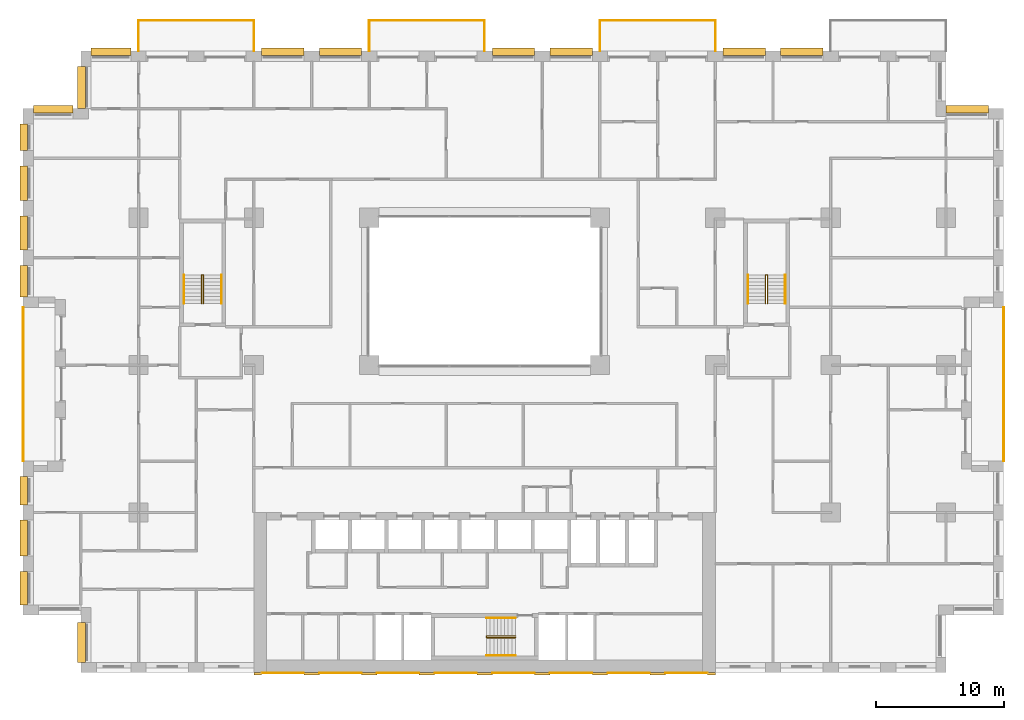
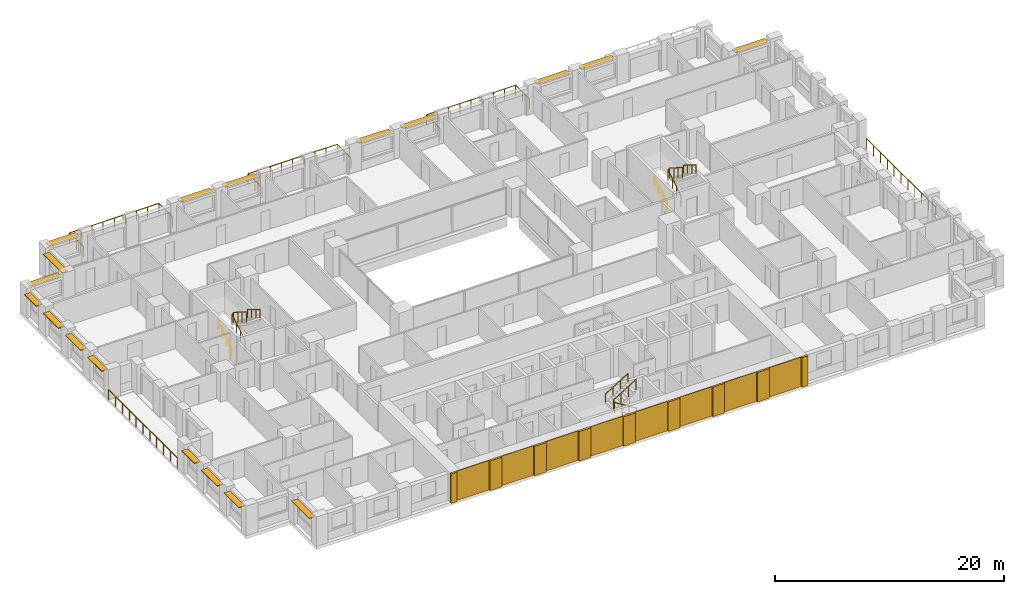
# One storey, part 19 of 20: 18 shading devices, 17 coverings, 14 railings.
"""IFC4 building model written with IfcOpenShell, lengths in metres."""

import ifcopenshell
import ifcopenshell.guid

model = None  # the IFC model being written
_history = None  # IfcOwnerHistory: only IFC2X3 demands one
_inside = {}  # id of a spatial element -> (the spatial element, [elements in it])
_under = {}  # id of a project, library or spatial element -> (it, [spatial elements below it])
_declared = {}  # id of a project -> (the project, [libraries it declares])
_typed = {}  # id of a type object -> (the type object, [elements of that type])
_made_of = {}  # id of a material, layer set ... -> (it, [elements and type objects made of it])


def new_model(schema):
    """Start an empty IFC model of exactly this schema.

    Asked for "IFC4X3", IfcOpenShell would pick the latest addendum, in which some entities
    have other attributes; the version numbers below select the first issue.
    IFC2X3 requires an IfcOwnerHistory on every rooted entity: one is made here for all.
    """
    global model, _history
    if schema == "IFC4X3":
        model = ifcopenshell.file(schema_version=(4, 3, 0, 0))
    else:
        model = ifcopenshell.file(schema=schema)
    _inside.clear()
    _under.clear()
    _declared.clear()
    _typed.clear()
    _made_of.clear()
    _history = None
    if model.schema == "IFC2X3":
        org = make("IfcOrganization", Name="unknown")
        user = make(
            "IfcPersonAndOrganization",
            ThePerson=make("IfcPerson", FamilyName="unknown"),
            TheOrganization=org,
        )
        app = make(
            "IfcApplication",
            ApplicationDeveloper=org,
            Version="unknown",
            ApplicationFullName="unknown",
            ApplicationIdentifier="unknown",
        )
        _history = make(
            "IfcOwnerHistory",
            OwningUser=user,
            OwningApplication=app,
            ChangeAction="ADDED",
            CreationDate=0,
        )
    return model


def make(cls, **values):
    """One entity of the class cls with the attributes given. An attribute that is None is left unset."""
    return model.create_entity(
        cls, **{name: value for name, value in values.items() if value is not None}
    )


def rooted(cls, **values):
    """An entity with a GlobalId (a new one), such as an element, a storey or a relation."""
    return make(cls, GlobalId=ifcopenshell.guid.new(), OwnerHistory=_history, **values)


def si_unit(unit_type, name, prefix=None):
    """IfcSIUnit, for example si_unit("LENGTHUNIT", "METRE", prefix="MILLI")."""
    return make("IfcSIUnit", UnitType=unit_type, Prefix=prefix, Name=name)


def assignment(units):
    """IfcUnitAssignment: the units of a project."""
    return None if units is None else make("IfcUnitAssignment", Units=units)


def point(xyz):
    """IfcCartesianPoint."""
    return None if xyz is None else make("IfcCartesianPoint", Coordinates=xyz)


def direction(xyz):
    """IfcDirection."""
    return None if xyz is None else make("IfcDirection", DirectionRatios=xyz)


def frame(location, z_axis=None, x_axis=None):
    """IfcAxis2Placement3D, a coordinate frame: its origin and axes. An axis left out is left unset."""
    return make(
        "IfcAxis2Placement3D",
        Location=point(location),
        Axis=direction(z_axis),
        RefDirection=direction(x_axis),
    )


def frame_2d(location, x_axis=None):
    """IfcAxis2Placement2D, a coordinate frame in the plane: its origin and x axis."""
    return make(
        "IfcAxis2Placement2D", Location=point(location), RefDirection=direction(x_axis)
    )


def origin():
    """The frame at (0, 0, 0) with its axes left unset."""
    return frame((0.0, 0.0, 0.0))


def origin_2d():
    """The frame at (0, 0) in the plane with its x axis left unset."""
    return frame_2d((0.0, 0.0))


def place(relative_to, where):
    """IfcLocalPlacement: puts the frame where relative to a parent placement (None: the world)."""
    return make(
        "IfcLocalPlacement", PlacementRelTo=relative_to, RelativePlacement=where
    )


def context(
    kind, dimensions, precision=None, world=None, true_north=None, identifier=None
):
    """IfcGeometricRepresentationContext, for example the 3D "Model" context."""
    return make(
        "IfcGeometricRepresentationContext",
        ContextIdentifier=identifier,
        ContextType=kind,
        CoordinateSpaceDimension=dimensions,
        Precision=precision,
        WorldCoordinateSystem=world,
        TrueNorth=true_north,
    )


def subcontext(parent, identifier, kind, view, scale=None):
    """IfcGeometricRepresentationSubContext, for example "Body" below "Model"."""
    return make(
        "IfcGeometricRepresentationSubContext",
        ContextIdentifier=identifier,
        ContextType=kind,
        ParentContext=parent,
        TargetScale=scale,
        TargetView=view,
    )


def project(units=None, contexts=None):
    """IfcProject with its units and contexts."""
    return rooted(
        "IfcProject",
        Name="project",
        RepresentationContexts=contexts,
        UnitsInContext=assignment(units),
    )


def spatial(cls, under=None, at=None, **own):
    """A site, building, storey or space (cls), placed at a placement, below another one or the project."""
    s = rooted(cls, ObjectPlacement=at, **own)
    if under is not None:
        _under.setdefault(under.id(), (under, []))[1].append(s)
    return s


def profile(cls, at=None, kind="AREA", **sizes):
    """A parametric profile (cls). Its sizes go by their IFC names, for example OverallWidth=200.0."""
    return make(cls, ProfileType=kind, Position=at, **sizes)


def rectangle(**sizes):
    """IfcRectangleProfileDef."""
    return profile("IfcRectangleProfileDef", **sizes)


def circle(**sizes):
    """IfcCircleProfileDef."""
    return profile("IfcCircleProfileDef", **sizes)


def extrude(swept, where, along, depth):
    """IfcExtrudedAreaSolid: the profile swept, set in the frame where, extruded along a direction by depth."""
    return make(
        "IfcExtrudedAreaSolid",
        SweptArea=swept,
        Position=where,
        ExtrudedDirection=direction(along),
        Depth=depth,
    )


def shape(context_of_items, identifier, shape_type, items):
    """IfcShapeRepresentation: the items that make up one representation, for example the "Body"."""
    return make(
        "IfcShapeRepresentation",
        ContextOfItems=context_of_items,
        RepresentationIdentifier=identifier,
        RepresentationType=shape_type,
        Items=items,
    )


def material(Name=None, Category=None):
    """IfcMaterial."""
    return make("IfcMaterial", Name=Name, Category=Category)


def layer(
    of_material, thickness, ventilated=None, Name=None, Category=None, Priority=None
):
    """IfcMaterialLayer: one layer of a wall or slab, of a material (None: an air gap)."""
    return make(
        "IfcMaterialLayer",
        Material=of_material,
        LayerThickness=thickness,
        IsVentilated=ventilated,
        Name=Name,
        Category=Category,
        Priority=Priority,
    )


def layer_set(layers, Name=None):
    """IfcMaterialLayerSet."""
    return make("IfcMaterialLayerSet", MaterialLayers=layers, LayerSetName=Name)


def made_of(thing, what):
    """Note that an element or type object is made of a material, layer set ...; save() writes the relation."""
    if what is not None:
        _made_of.setdefault(what.id(), (what, []))[1].append(thing)
    return thing


def type_object(cls, material=None, **own):
    """A type object (cls), such as IfcWallType, which elements share."""
    return made_of(rooted(cls, **own), material)


def element(
    cls,
    number,
    at=None,
    inside=None,
    cuts=None,
    type_object=None,
    material=None,
    context=None,
    identifier="Body",
    shape_type=None,
    held_by="IfcProductDefinitionShape",
    body=None,
    shapes=None,
    **own,
):
    """One element of the class cls, such as IfcWall. Its Tag is "e" and its number.

    at: its placement. inside: the storey or other place that contains it. cuts: it is an
    opening in that element (IfcRelVoidsElement). A single representation is given by context,
    identifier, shape_type and body (its items); several are given by shapes. held_by: the class
    of the entity that holds the representations. save() writes the other relations.
    """
    e = rooted(cls, Tag="e%d" % number, ObjectPlacement=at, **own)
    if body is not None:
        shapes = [shape(context, identifier, shape_type, body)]
    if shapes is not None:
        e.Representation = make(held_by, Representations=shapes)
    if inside is not None:
        _inside.setdefault(inside.id(), (inside, []))[1].append(e)
    if cuts is not None:
        rooted(
            "IfcRelVoidsElement", RelatingBuildingElement=cuts, RelatedOpeningElement=e
        )
    if type_object is not None:
        _typed.setdefault(type_object.id(), (type_object, []))[1].append(e)
    return made_of(e, material)


def aggregate(whole, parts):
    """IfcRelAggregates: a whole, such as a stair, and the parts it consists of."""
    return rooted("IfcRelAggregates", RelatingObject=whole, RelatedObjects=parts)


def save(model, path):
    """Write the relations noted so far, then the file.

    IfcRelAggregates (storeys below a building ...), IfcRelContainedInSpatialStructure (elements
    in a storey), IfcRelDefinesByType, IfcRelAssociatesMaterial and IfcRelDeclares: one each for
    every whole, place, type object, material and project.
    """
    for whole, parts in _under.values():
        aggregate(whole, parts)
    for where, things in _inside.values():
        rooted(
            "IfcRelContainedInSpatialStructure",
            RelatedElements=things,
            RelatingStructure=where,
        )
    for kind, things in _typed.values():
        rooted("IfcRelDefinesByType", RelatedObjects=things, RelatingType=kind)
    for what, things in _made_of.values():
        rooted("IfcRelAssociatesMaterial", RelatedObjects=things, RelatingMaterial=what)
    for by, libraries in _declared.values():
        rooted("IfcRelDeclares", RelatingContext=by, RelatedDefinitions=libraries)
    model.write(path)


model = new_model("IFC4")

# Units and contexts
model_context = context("Model", 3, precision=1e-05, world=origin(), true_north=direction((0.0, 1.0)))
body_context = subcontext(model_context, "Body", "Model", "MODEL_VIEW")
ifc_project = project(units=[si_unit("LENGTHUNIT", "METRE"), si_unit("AREAUNIT", "SQUARE_METRE"), si_unit("VOLUMEUNIT", "CUBIC_METRE"), si_unit("PLANEANGLEUNIT", "RADIAN"), si_unit("MASSUNIT", "GRAM", prefix="KILO")], contexts=[model_context])

# Site, building, storey
site_placement = place(None, origin())
site = spatial("IfcSite", under=ifc_project, at=site_placement, CompositionType="ELEMENT")
building_placement = place(site_placement, origin())
building = spatial("IfcBuilding", under=site, at=building_placement, Name="Brigalow Station Residences", CompositionType="ELEMENT")
storey_placement = place(building_placement, frame((0.0, 0.0, 54.14990234375)))
storey = spatial("IfcBuildingStorey", under=building, at=storey_placement, Name="L15", CompositionType="ELEMENT", Elevation=54.14990234375)

# Railings
ifc_material_1 = material(Name="Stainless steel balustrade with laminated glass infill", Category="steel")
railing_type_1 = type_object("IfcRailingType", Name="BALCONY GUARD 1100", PredefinedType="GUARDRAIL", material=ifc_material_1)
railing_1_placement = place(storey_placement, frame((76.5, 16.5, -0.039794921875)))
element("IfcRailing", 1, at=railing_1_placement, inside=storey, type_object=railing_type_1, Name="L15/balcony-guard/1", PredefinedType="GUARDRAIL", context=body_context, shape_type="SweptSolid", body=[
    extrude(circle(Radius=0.02392578125, at=origin_2d()), frame((0.0, 0.0, 1.076171875), z_axis=(0.0, 1.0, 0.0), x_axis=(-1.0, 0.0, 0.0)), (0.0, 0.0, 1.0), 12.0),
    extrude(circle(Radius=0.02099609375, at=origin_2d()), origin(), (0.0, 0.0, 1.0), 1.052001953125),
    extrude(circle(Radius=0.02099609375, at=origin_2d()), frame((0.0, 1.199951171875, 0.0)), (0.0, 0.0, 1.0), 1.052001953125),
    extrude(circle(Radius=0.02099609375, at=origin_2d()), frame((0.0, 2.39990234375, 0.0)), (0.0, 0.0, 1.0), 1.052001953125),
    extrude(circle(Radius=0.02099609375, at=origin_2d()), frame((0.0, 3.60009765625, 0.0)), (0.0, 0.0, 1.0), 1.052001953125),
    extrude(circle(Radius=0.02099609375, at=origin_2d()), frame((0.0, 4.800048828125, 0.0)), (0.0, 0.0, 1.0), 1.052001953125),
    extrude(circle(Radius=0.02099609375, at=origin_2d()), frame((0.0, 6.0, 0.0)), (0.0, 0.0, 1.0), 1.052001953125),
    extrude(circle(Radius=0.02099609375, at=origin_2d()), frame((0.0, 7.199951171875, 0.0)), (0.0, 0.0, 1.0), 1.052001953125),
    extrude(circle(Radius=0.02099609375, at=origin_2d()), frame((0.0, 8.39990234375, 0.0)), (0.0, 0.0, 1.0), 1.052001953125),
    extrude(circle(Radius=0.02099609375, at=origin_2d()), frame((0.0, 9.60009765625, 0.0)), (0.0, 0.0, 1.0), 1.052001953125),
    extrude(circle(Radius=0.02099609375, at=origin_2d()), frame((0.0, 10.800048828125, 0.0)), (0.0, 0.0, 1.0), 1.052001953125),
    extrude(circle(Radius=0.02099609375, at=origin_2d()), frame((0.0, 12.0, 0.0)), (0.0, 0.0, 1.0), 1.052001953125),
])
railing_2_placement = place(storey_placement, frame((54.0, 48.5, -0.039794921875)))
element("IfcRailing", 2, at=railing_2_placement, inside=storey, type_object=railing_type_1, Name="L15/balcony-guard/3", PredefinedType="GUARDRAIL", context=body_context, shape_type="SweptSolid", body=[
    extrude(circle(Radius=0.02392578125, at=origin_2d()), frame((0.0, 0.0, 1.076171875), z_axis=(0.0, 1.0, 0.0), x_axis=(-1.0, 0.0, 0.0)), (0.0, 0.0, 1.0), 2.39990234375),
    extrude(circle(Radius=0.02392578125, at=origin_2d()), frame((0.0, 2.39990234375, 1.076171875), z_axis=(-1.0, 0.0, 0.0), x_axis=(0.0, -1.0, 0.0)), (0.0, 0.0, 1.0), 9.0),
    extrude(circle(Radius=0.02392578125, at=origin_2d()), frame((-9.0, 2.39990234375, 1.076171875), z_axis=(0.0, -1.0, 0.0), x_axis=(1.0, 0.0, 0.0)), (0.0, 0.0, 1.0), 2.39990234375),
    extrude(circle(Radius=0.02099609375, at=origin_2d()), origin(), (0.0, 0.0, 1.0), 1.052001953125),
    extrude(circle(Radius=0.02099609375, at=origin_2d()), frame((0.0, 1.199951171875, 0.0)), (0.0, 0.0, 1.0), 1.052001953125),
    extrude(circle(Radius=0.02099609375, at=origin_2d()), frame((0.0, 2.39990234375, 0.0)), (0.0, 0.0, 1.0), 1.052001953125),
    extrude(circle(Radius=0.02099609375, at=origin_2d()), frame((-1.125, 2.39990234375, 0.0)), (0.0, 0.0, 1.0), 1.052001953125),
    extrude(circle(Radius=0.02099609375, at=origin_2d()), frame((-2.25, 2.39990234375, 0.0)), (0.0, 0.0, 1.0), 1.052001953125),
    extrude(circle(Radius=0.02099609375, at=origin_2d()), frame((-3.375, 2.39990234375, 0.0)), (0.0, 0.0, 1.0), 1.052001953125),
    extrude(circle(Radius=0.02099609375, at=origin_2d()), frame((-4.5, 2.39990234375, 0.0)), (0.0, 0.0, 1.0), 1.052001953125),
    extrude(circle(Radius=0.02099609375, at=origin_2d()), frame((-5.625, 2.39990234375, 0.0)), (0.0, 0.0, 1.0), 1.052001953125),
    extrude(circle(Radius=0.02099609375, at=origin_2d()), frame((-6.75, 2.39990234375, 0.0)), (0.0, 0.0, 1.0), 1.052001953125),
    extrude(circle(Radius=0.02099609375, at=origin_2d()), frame((-7.875, 2.39990234375, 0.0)), (0.0, 0.0, 1.0), 1.052001953125),
    extrude(circle(Radius=0.02099609375, at=origin_2d()), frame((-9.0, 2.39990234375, 0.0)), (0.0, 0.0, 1.0), 1.052001953125),
    extrude(circle(Radius=0.02099609375, at=origin_2d()), frame((-9.0, 1.199951171875, 0.0)), (0.0, 0.0, 1.0), 1.052001953125),
    extrude(circle(Radius=0.02099609375, at=origin_2d()), frame((-9.0, 0.0, 0.0)), (0.0, 0.0, 1.0), 1.052001953125),
])
railing_3_placement = place(storey_placement, frame((36.0, 48.5, -0.039794921875)))
element("IfcRailing", 3, at=railing_3_placement, inside=storey, type_object=railing_type_1, Name="L15/balcony-guard/4", PredefinedType="GUARDRAIL", context=body_context, shape_type="SweptSolid", body=[
    extrude(circle(Radius=0.02392578125, at=origin_2d()), frame((0.0, 0.0, 1.076171875), z_axis=(0.0, 1.0, 0.0), x_axis=(-1.0, 0.0, 0.0)), (0.0, 0.0, 1.0), 2.39990234375),
    extrude(circle(Radius=0.02392578125, at=origin_2d()), frame((0.0, 2.39990234375, 1.076171875), z_axis=(-1.0, 0.0, 0.0), x_axis=(0.0, -1.0, 0.0)), (0.0, 0.0, 1.0), 9.0),
    extrude(circle(Radius=0.02392578125, at=origin_2d()), frame((-9.0, 2.39990234375, 1.076171875), z_axis=(0.0, -1.0, 0.0), x_axis=(1.0, 0.0, 0.0)), (0.0, 0.0, 1.0), 2.39990234375),
    extrude(circle(Radius=0.02099609375, at=origin_2d()), origin(), (0.0, 0.0, 1.0), 1.052001953125),
    extrude(circle(Radius=0.02099609375, at=origin_2d()), frame((0.0, 1.199951171875, 0.0)), (0.0, 0.0, 1.0), 1.052001953125),
    extrude(circle(Radius=0.02099609375, at=origin_2d()), frame((0.0, 2.39990234375, 0.0)), (0.0, 0.0, 1.0), 1.052001953125),
    extrude(circle(Radius=0.02099609375, at=origin_2d()), frame((-1.125, 2.39990234375, 0.0)), (0.0, 0.0, 1.0), 1.052001953125),
    extrude(circle(Radius=0.02099609375, at=origin_2d()), frame((-2.25, 2.39990234375, 0.0)), (0.0, 0.0, 1.0), 1.052001953125),
    extrude(circle(Radius=0.02099609375, at=origin_2d()), frame((-3.375, 2.39990234375, 0.0)), (0.0, 0.0, 1.0), 1.052001953125),
    extrude(circle(Radius=0.02099609375, at=origin_2d()), frame((-4.5, 2.39990234375, 0.0)), (0.0, 0.0, 1.0), 1.052001953125),
    extrude(circle(Radius=0.02099609375, at=origin_2d()), frame((-5.625, 2.39990234375, 0.0)), (0.0, 0.0, 1.0), 1.052001953125),
    extrude(circle(Radius=0.02099609375, at=origin_2d()), frame((-6.75, 2.39990234375, 0.0)), (0.0, 0.0, 1.0), 1.052001953125),
    extrude(circle(Radius=0.02099609375, at=origin_2d()), frame((-7.875, 2.39990234375, 0.0)), (0.0, 0.0, 1.0), 1.052001953125),
    extrude(circle(Radius=0.02099609375, at=origin_2d()), frame((-9.0, 2.39990234375, 0.0)), (0.0, 0.0, 1.0), 1.052001953125),
    extrude(circle(Radius=0.02099609375, at=origin_2d()), frame((-9.0, 1.199951171875, 0.0)), (0.0, 0.0, 1.0), 1.052001953125),
    extrude(circle(Radius=0.02099609375, at=origin_2d()), frame((-9.0, 0.0, 0.0)), (0.0, 0.0, 1.0), 1.052001953125),
])
railing_4_placement = place(storey_placement, frame((18.0, 48.5, -0.039794921875)))
element("IfcRailing", 4, at=railing_4_placement, inside=storey, type_object=railing_type_1, Name="L15/balcony-guard/5", PredefinedType="GUARDRAIL", context=body_context, shape_type="SweptSolid", body=[
    extrude(circle(Radius=0.02392578125, at=origin_2d()), frame((0.0, 0.0, 1.076171875), z_axis=(0.0, 1.0, 0.0), x_axis=(-1.0, 0.0, 0.0)), (0.0, 0.0, 1.0), 2.39990234375),
    extrude(circle(Radius=0.02392578125, at=origin_2d()), frame((0.0, 2.39990234375, 1.076171875), z_axis=(-1.0, 0.0, 0.0), x_axis=(0.0, -1.0, 0.0)), (0.0, 0.0, 1.0), 9.0),
    extrude(circle(Radius=0.02392578125, at=origin_2d()), frame((-9.0, 2.39990234375, 1.076171875), z_axis=(0.0, -1.0, 0.0), x_axis=(1.0, 0.0, 0.0)), (0.0, 0.0, 1.0), 2.39990234375),
    extrude(circle(Radius=0.02099609375, at=origin_2d()), origin(), (0.0, 0.0, 1.0), 1.052001953125),
    extrude(circle(Radius=0.02099609375, at=origin_2d()), frame((0.0, 1.199951171875, 0.0)), (0.0, 0.0, 1.0), 1.052001953125),
    extrude(circle(Radius=0.02099609375, at=origin_2d()), frame((0.0, 2.39990234375, 0.0)), (0.0, 0.0, 1.0), 1.052001953125),
    extrude(circle(Radius=0.02099609375, at=origin_2d()), frame((-1.125, 2.39990234375, 0.0)), (0.0, 0.0, 1.0), 1.052001953125),
    extrude(circle(Radius=0.02099609375, at=origin_2d()), frame((-2.25, 2.39990234375, 0.0)), (0.0, 0.0, 1.0), 1.052001953125),
    extrude(circle(Radius=0.02099609375, at=origin_2d()), frame((-3.375, 2.39990234375, 0.0)), (0.0, 0.0, 1.0), 1.052001953125),
    extrude(circle(Radius=0.02099609375, at=origin_2d()), frame((-4.5, 2.39990234375, 0.0)), (0.0, 0.0, 1.0), 1.052001953125),
    extrude(circle(Radius=0.02099609375, at=origin_2d()), frame((-5.625, 2.39990234375, 0.0)), (0.0, 0.0, 1.0), 1.052001953125),
    extrude(circle(Radius=0.02099609375, at=origin_2d()), frame((-6.75, 2.39990234375, 0.0)), (0.0, 0.0, 1.0), 1.052001953125),
    extrude(circle(Radius=0.02099609375, at=origin_2d()), frame((-7.875, 2.39990234375, 0.0)), (0.0, 0.0, 1.0), 1.052001953125),
    extrude(circle(Radius=0.02099609375, at=origin_2d()), frame((-9.0, 2.39990234375, 0.0)), (0.0, 0.0, 1.0), 1.052001953125),
    extrude(circle(Radius=0.02099609375, at=origin_2d()), frame((-9.0, 1.199951171875, 0.0)), (0.0, 0.0, 1.0), 1.052001953125),
    extrude(circle(Radius=0.02099609375, at=origin_2d()), frame((-9.0, 0.0, 0.0)), (0.0, 0.0, 1.0), 1.052001953125),
])
railing_5_placement = place(storey_placement, frame((0.0, 28.5, -0.039794921875)))
element("IfcRailing", 5, at=railing_5_placement, inside=storey, type_object=railing_type_1, Name="L15/balcony-guard/6", PredefinedType="GUARDRAIL", context=body_context, shape_type="SweptSolid", body=[
    extrude(circle(Radius=0.02392578125, at=origin_2d()), frame((0.0, 0.0, 1.076171875), z_axis=(0.0, -1.0, 0.0), x_axis=(1.0, 0.0, 0.0)), (0.0, 0.0, 1.0), 12.0),
    extrude(circle(Radius=0.02099609375, at=origin_2d()), origin(), (0.0, 0.0, 1.0), 1.052001953125),
    extrude(circle(Radius=0.02099609375, at=origin_2d()), frame((0.0, -1.199951171875, 0.0)), (0.0, 0.0, 1.0), 1.052001953125),
    extrude(circle(Radius=0.02099609375, at=origin_2d()), frame((0.0, -2.39990234375, 0.0)), (0.0, 0.0, 1.0), 1.052001953125),
    extrude(circle(Radius=0.02099609375, at=origin_2d()), frame((0.0, -3.60009765625, 0.0)), (0.0, 0.0, 1.0), 1.052001953125),
    extrude(circle(Radius=0.02099609375, at=origin_2d()), frame((0.0, -4.800048828125, 0.0)), (0.0, 0.0, 1.0), 1.052001953125),
    extrude(circle(Radius=0.02099609375, at=origin_2d()), frame((0.0, -6.0, 0.0)), (0.0, 0.0, 1.0), 1.052001953125),
    extrude(circle(Radius=0.02099609375, at=origin_2d()), frame((0.0, -7.199951171875, 0.0)), (0.0, 0.0, 1.0), 1.052001953125),
    extrude(circle(Radius=0.02099609375, at=origin_2d()), frame((0.0, -8.39990234375, 0.0)), (0.0, 0.0, 1.0), 1.052001953125),
    extrude(circle(Radius=0.02099609375, at=origin_2d()), frame((0.0, -9.60009765625, 0.0)), (0.0, 0.0, 1.0), 1.052001953125),
    extrude(circle(Radius=0.02099609375, at=origin_2d()), frame((0.0, -10.800048828125, 0.0)), (0.0, 0.0, 1.0), 1.052001953125),
    extrude(circle(Radius=0.02099609375, at=origin_2d()), frame((0.0, -12.0, 0.0)), (0.0, 0.0, 1.0), 1.052001953125),
])

# Coverings
ifc_material_2 = material(Name="Clay brick masonry", Category="masonry")
ifc_layer_1 = layer(ifc_material_2, 0.06005859375)
ifc_layer_set_1 = layer_set([ifc_layer_1], Name="BRICK PANEL FACING 60")
covering_type_1 = type_object("IfcCoveringType", Name="BRICK PANEL FACING 60", PredefinedType="CLADDING", material=ifc_layer_set_1)
for number, where, z_axis, x_axis, name in (
    (6, (20.25, -0.030029296875, 0.000244140625), (0.0, 0.0, 1.0), (1.0, 0.0, 0.0), "L15/rear-facing/panel-1"),
    (7, (24.75, -0.030029296875, 0.000244140625), (0.0, 0.0, 1.0), (1.0, 0.0, 0.0), "L15/rear-facing/panel-2"),
    (8, (29.25, -0.030029296875, 0.000244140625), (0.0, 0.0, 1.0), (1.0, 0.0, 0.0), "L15/rear-facing/panel-3"),
    (9, (33.75, -0.030029296875, 0.000244140625), (0.0, 0.0, 1.0), (1.0, 0.0, 0.0), "L15/rear-facing/panel-4"),
    (10, (38.25, -0.030029296875, 0.000244140625), (0.0, 0.0, 1.0), (1.0, 0.0, 0.0), "L15/rear-facing/panel-5"),
    (11, (42.75, -0.030029296875, 0.000244140625), (0.0, 0.0, 1.0), (1.0, 0.0, 0.0), "L15/rear-facing/panel-6"),
    (12, (47.25, -0.030029296875, 0.000244140625), (0.0, 0.0, 1.0), (1.0, 0.0, 0.0), "L15/rear-facing/panel-7"),
    (13, (51.75, -0.030029296875, 0.000244140625), (0.0, 0.0, 1.0), (1.0, 0.0, 0.0), "L15/rear-facing/panel-8"),
):
    element("IfcCovering", number, at=place(storey_placement, frame(where, z_axis=z_axis, x_axis=x_axis)), inside=storey, type_object=covering_type_1, Name=name, PredefinedType="CLADDING", context=body_context, shape_type="SweptSolid", body=[
        extrude(rectangle(XDim=3.300048828125, YDim=0.06005859375, at=origin_2d()), origin(), (0.0, 0.0, 1.0), 3.14990234375),
    ])
ifc_material_3 = material(Name="Clay brick masonry", Category="masonry")
ifc_layer_2 = layer(ifc_material_3, 0.199951171875)
ifc_layer_set_2 = layer_set([ifc_layer_2], Name="BRICK PIER FACING 200")
covering_type_2 = type_object("IfcCoveringType", Name="BRICK PIER FACING 200", PredefinedType="CLADDING", material=ifc_layer_set_2)
covering_1_placement = place(storey_placement, frame((18.300048828125, -0.10009765625, 0.000244140625), z_axis=(0.0, 0.0, 1.0), x_axis=(1.0, 0.0, 0.0)))
element("IfcCovering", 14, at=covering_1_placement, inside=storey, type_object=covering_type_2, Name="L15/rear-facing/pier-1", PredefinedType="CLADDING", context=body_context, shape_type="SweptSolid", body=[
    extrude(rectangle(XDim=0.60009765625, YDim=0.199951171875, at=origin_2d()), origin(), (0.0, 0.0, 1.0), 3.14990234375),
])
for number, where, z_axis, x_axis, name in (
    (15, (22.5, -0.10009765625, 0.000244140625), (0.0, 0.0, 1.0), (1.0, 0.0, 0.0), "L15/rear-facing/pier-2"),
    (16, (27.0, -0.10009765625, 0.000244140625), (0.0, 0.0, 1.0), (1.0, 0.0, 0.0), "L15/rear-facing/pier-3"),
    (17, (31.5, -0.10009765625, 0.000244140625), (0.0, 0.0, 1.0), (1.0, 0.0, 0.0), "L15/rear-facing/pier-4"),
    (18, (36.0, -0.10009765625, 0.000244140625), (0.0, 0.0, 1.0), (1.0, 0.0, 0.0), "L15/rear-facing/pier-5"),
    (19, (40.5, -0.10009765625, 0.000244140625), (0.0, 0.0, 1.0), (1.0, 0.0, 0.0), "L15/rear-facing/pier-6"),
    (20, (45.0, -0.10009765625, 0.000244140625), (0.0, 0.0, 1.0), (1.0, 0.0, 0.0), "L15/rear-facing/pier-7"),
    (21, (49.5, -0.10009765625, 0.000244140625), (0.0, 0.0, 1.0), (1.0, 0.0, 0.0), "L15/rear-facing/pier-8"),
):
    element("IfcCovering", number, at=place(storey_placement, frame(where, z_axis=z_axis, x_axis=x_axis)), inside=storey, type_object=covering_type_2, Name=name, PredefinedType="CLADDING", context=body_context, shape_type="SweptSolid", body=[
        extrude(rectangle(XDim=1.199951171875, YDim=0.199951171875, at=origin_2d()), origin(), (0.0, 0.0, 1.0), 3.14990234375),
    ])
covering_2_placement = place(storey_placement, frame((53.699951171875, -0.10009765625, 0.000244140625), z_axis=(0.0, 0.0, 1.0), x_axis=(1.0, 0.0, 0.0)))
element("IfcCovering", 22, at=covering_2_placement, inside=storey, type_object=covering_type_2, Name="L15/rear-facing/pier-9", PredefinedType="CLADDING", context=body_context, shape_type="SweptSolid", body=[
    extrude(rectangle(XDim=0.60009765625, YDim=0.199951171875, at=origin_2d()), origin(), (0.0, 0.0, 1.0), 3.14990234375),
])

# Railings
ifc_material_4 = material(Name="Stainless steel balustrade", Category="steel")
railing_type_2 = type_object("IfcRailingType", Name="STAIR GUARD 1100", PredefinedType="GUARDRAIL", material=ifc_material_4)
railing_6_placement = place(storey_placement, frame((38.39990234375, 2.72998046875, 0.175048828125)))
element("IfcRailing", 23, at=railing_6_placement, inside=storey, type_object=railing_type_2, Name="GUARD GR-2", PredefinedType="GUARDRAIL", context=body_context, shape_type="SweptSolid", body=[
    extrude(circle(Radius=0.02392578125, at=origin_2d()), frame((0.0, 0.0, 1.076171875), z_axis=(-0.847972341737, 0.0, 0.530040477369), x_axis=(0.0, -1.0, 0.0)), (0.0, 0.0, 1.0), 2.6416015625),
    extrude(circle(Radius=0.02392578125, at=origin_2d()), frame((-2.239990234375, 0.0, 2.47607421875), z_axis=(0.0, 0.62549206879, 0.780230524833), x_axis=(-1.0, 0.0, 0.0)), (0.0, 0.0, 1.0), 0.22412109375),
    extrude(circle(Radius=0.02392578125, at=origin_2d()), frame((-2.239990234375, 0.14013671875, 2.65087890625), z_axis=(0.847972341737, 0.0, 0.530040477369), x_axis=(0.0, 1.0, 0.0)), (0.0, 0.0, 1.0), 2.6416015625),
    extrude(circle(Radius=0.02099609375, at=origin_2d()), origin(), (0.0, 0.0, 1.0), 1.052001953125),
    extrude(circle(Radius=0.02099609375, at=origin_2d()), frame((-0.74658203125, 0.0, 0.466796875)), (0.0, 0.0, 1.0), 1.052001953125),
    extrude(circle(Radius=0.02099609375, at=origin_2d()), frame((-1.493408203125, 0.0, 0.933349609375)), (0.0, 0.0, 1.0), 1.052001953125),
    extrude(circle(Radius=0.02099609375, at=origin_2d()), frame((-2.239990234375, 0.0, 1.400146484375)), (0.0, 0.0, 1.0), 1.052001953125),
    extrude(circle(Radius=0.02099609375, at=origin_2d()), frame((-2.239990234375, 0.14013671875, 1.574951171875)), (0.0, 0.0, 1.0), 1.052001953125),
    extrude(circle(Radius=0.02099609375, at=origin_2d()), frame((-1.493408203125, 0.14013671875, 2.041748046875)), (0.0, 0.0, 1.0), 1.052001953125),
    extrude(circle(Radius=0.02099609375, at=origin_2d()), frame((-0.74658203125, 0.14013671875, 2.50830078125)), (0.0, 0.0, 1.0), 1.052001953125),
    extrude(circle(Radius=0.02099609375, at=origin_2d()), frame((0.0, 0.14013671875, 2.97509765625)), (0.0, 0.0, 1.0), 1.052001953125),
])
for number, where, name in (
    (24, (13.929931640625, 28.800048828125, 0.175048828125), "GUARD GR-1"),
    (25, (57.929931640625, 28.800048828125, 0.175048828125), "GUARD GR-3"),
):
    element("IfcRailing", number, at=place(storey_placement, frame(where)), inside=storey, type_object=railing_type_2, Name=name, PredefinedType="GUARDRAIL", context=body_context, shape_type="SweptSolid", body=[
        extrude(circle(Radius=0.02392578125, at=origin_2d()), frame((0.0, 0.0, 1.076171875), z_axis=(0.0, 0.847972341737, 0.530040477369), x_axis=(-1.0, 0.0, 0.0)), (0.0, 0.0, 1.0), 2.6416015625),
        extrude(circle(Radius=0.02392578125, at=origin_2d()), frame((0.0, 2.239990234375, 2.47607421875), z_axis=(0.62549206879, 0.0, 0.780230524833), x_axis=(0.0, 1.0, 0.0)), (0.0, 0.0, 1.0), 0.22412109375),
        extrude(circle(Radius=0.02392578125, at=origin_2d()), frame((0.14013671875, 2.239990234375, 2.65087890625), z_axis=(0.0, -0.847972341737, 0.530040477369), x_axis=(1.0, 0.0, 0.0)), (0.0, 0.0, 1.0), 2.6416015625),
        extrude(circle(Radius=0.02099609375, at=origin_2d()), origin(), (0.0, 0.0, 1.0), 1.052001953125),
        extrude(circle(Radius=0.02099609375, at=origin_2d()), frame((0.0, 0.74658203125, 0.466796875)), (0.0, 0.0, 1.0), 1.052001953125),
        extrude(circle(Radius=0.02099609375, at=origin_2d()), frame((0.0, 1.493408203125, 0.933349609375)), (0.0, 0.0, 1.0), 1.052001953125),
        extrude(circle(Radius=0.02099609375, at=origin_2d()), frame((0.0, 2.239990234375, 1.400146484375)), (0.0, 0.0, 1.0), 1.052001953125),
        extrude(circle(Radius=0.02099609375, at=origin_2d()), frame((0.14013671875, 2.239990234375, 1.574951171875)), (0.0, 0.0, 1.0), 1.052001953125),
        extrude(circle(Radius=0.02099609375, at=origin_2d()), frame((0.14013671875, 1.493408203125, 2.041748046875)), (0.0, 0.0, 1.0), 1.052001953125),
        extrude(circle(Radius=0.02099609375, at=origin_2d()), frame((0.14013671875, 0.74658203125, 2.50830078125)), (0.0, 0.0, 1.0), 1.052001953125),
        extrude(circle(Radius=0.02099609375, at=origin_2d()), frame((0.14013671875, 0.0, 2.97509765625)), (0.0, 0.0, 1.0), 1.052001953125),
    ])
ifc_material_5 = material(Name="Stainless steel handrail", Category="steel")
railing_type_3 = type_object("IfcRailingType", Name="STAIR HANDRAIL 900", PredefinedType="HANDRAIL", material=ifc_material_5)
railing_7_placement = place(storey_placement, frame((38.39990234375, 1.340087890625, 0.175048828125)))
element("IfcRailing", 26, at=railing_7_placement, inside=storey, type_object=railing_type_3, Name="HANDRAIL HR-21", PredefinedType="HANDRAIL", context=body_context, shape_type="SweptSolid", body=[
    extrude(circle(Radius=0.02392578125, at=origin_2d()), frame((0.0, 0.0, 0.8759765625), z_axis=(-0.847972341737, 0.0, 0.530040477369), x_axis=(0.0, -1.0, 0.0)), (0.0, 0.0, 1.0), 2.6416015625),
    extrude(circle(Radius=0.02099609375, at=origin_2d()), origin(), (0.0, 0.0, 1.0), 0.851806640625),
    extrude(circle(Radius=0.02099609375, at=origin_2d()), frame((-0.74658203125, 0.0, 0.466796875)), (0.0, 0.0, 1.0), 0.851806640625),
    extrude(circle(Radius=0.02099609375, at=origin_2d()), frame((-1.493408203125, 0.0, 0.933349609375)), (0.0, 0.0, 1.0), 0.851806640625),
    extrude(circle(Radius=0.02099609375, at=origin_2d()), frame((-2.239990234375, 0.0, 1.400146484375)), (0.0, 0.0, 1.0), 0.851806640625),
])
railing_8_placement = place(storey_placement, frame((36.159912109375, 4.260009765625, 1.75)))
element("IfcRailing", 27, at=railing_8_placement, inside=storey, type_object=railing_type_3, Name="HANDRAIL HR-22", PredefinedType="HANDRAIL", context=body_context, shape_type="SweptSolid", body=[
    extrude(circle(Radius=0.02392578125, at=origin_2d()), frame((0.0, 0.0, 0.8759765625), z_axis=(0.847972341737, 0.0, 0.530040477369), x_axis=(0.0, 1.0, 0.0)), (0.0, 0.0, 1.0), 2.6416015625),
    extrude(circle(Radius=0.02099609375, at=origin_2d()), origin(), (0.0, 0.0, 1.0), 0.851806640625),
    extrude(circle(Radius=0.02099609375, at=origin_2d()), frame((0.74658203125, 0.0, 0.466796875)), (0.0, 0.0, 1.0), 0.851806640625),
    extrude(circle(Radius=0.02099609375, at=origin_2d()), frame((1.493408203125, 0.0, 0.933349609375)), (0.0, 0.0, 1.0), 0.851806640625),
    extrude(circle(Radius=0.02099609375, at=origin_2d()), frame((2.239990234375, 0.0, 1.400146484375)), (0.0, 0.0, 1.0), 0.851806640625),
])
railing_9_placement = place(storey_placement, frame((12.5400390625, 28.800048828125, 0.175048828125)))
element("IfcRailing", 28, at=railing_9_placement, inside=storey, type_object=railing_type_3, Name="HANDRAIL HR-11", PredefinedType="HANDRAIL", context=body_context, shape_type="SweptSolid", body=[
    extrude(circle(Radius=0.02392578125, at=origin_2d()), frame((0.0, 0.0, 0.8759765625), z_axis=(0.0, 0.847972341737, 0.530040477369), x_axis=(-1.0, 0.0, 0.0)), (0.0, 0.0, 1.0), 2.6416015625),
    extrude(circle(Radius=0.02099609375, at=origin_2d()), origin(), (0.0, 0.0, 1.0), 0.851806640625),
    extrude(circle(Radius=0.02099609375, at=origin_2d()), frame((0.0, 0.74658203125, 0.466796875)), (0.0, 0.0, 1.0), 0.851806640625),
    extrude(circle(Radius=0.02099609375, at=origin_2d()), frame((0.0, 1.493408203125, 0.933349609375)), (0.0, 0.0, 1.0), 0.851806640625),
    extrude(circle(Radius=0.02099609375, at=origin_2d()), frame((0.0, 2.239990234375, 1.400146484375)), (0.0, 0.0, 1.0), 0.851806640625),
])
railing_10_placement = place(storey_placement, frame((15.4599609375, 31.0400390625, 1.75)))
element("IfcRailing", 29, at=railing_10_placement, inside=storey, type_object=railing_type_3, Name="HANDRAIL HR-12", PredefinedType="HANDRAIL", context=body_context, shape_type="SweptSolid", body=[
    extrude(circle(Radius=0.02392578125, at=origin_2d()), frame((0.0, 0.0, 0.8759765625), z_axis=(0.0, -0.847972341737, 0.530040477369), x_axis=(1.0, 0.0, 0.0)), (0.0, 0.0, 1.0), 2.6416015625),
    extrude(circle(Radius=0.02099609375, at=origin_2d()), origin(), (0.0, 0.0, 1.0), 0.851806640625),
    extrude(circle(Radius=0.02099609375, at=origin_2d()), frame((0.0, -0.74658203125, 0.466796875)), (0.0, 0.0, 1.0), 0.851806640625),
    extrude(circle(Radius=0.02099609375, at=origin_2d()), frame((0.0, -1.493408203125, 0.933349609375)), (0.0, 0.0, 1.0), 0.851806640625),
    extrude(circle(Radius=0.02099609375, at=origin_2d()), frame((0.0, -2.239990234375, 1.400146484375)), (0.0, 0.0, 1.0), 0.851806640625),
])
railing_11_placement = place(storey_placement, frame((56.5400390625, 28.800048828125, 0.175048828125)))
element("IfcRailing", 30, at=railing_11_placement, inside=storey, type_object=railing_type_3, Name="HANDRAIL HR-31", PredefinedType="HANDRAIL", context=body_context, shape_type="SweptSolid", body=[
    extrude(circle(Radius=0.02392578125, at=origin_2d()), frame((0.0, 0.0, 0.8759765625), z_axis=(0.0, 0.847972341737, 0.530040477369), x_axis=(-1.0, 0.0, 0.0)), (0.0, 0.0, 1.0), 2.6416015625),
    extrude(circle(Radius=0.02099609375, at=origin_2d()), origin(), (0.0, 0.0, 1.0), 0.851806640625),
    extrude(circle(Radius=0.02099609375, at=origin_2d()), frame((0.0, 0.74658203125, 0.466796875)), (0.0, 0.0, 1.0), 0.851806640625),
    extrude(circle(Radius=0.02099609375, at=origin_2d()), frame((0.0, 1.493408203125, 0.933349609375)), (0.0, 0.0, 1.0), 0.851806640625),
    extrude(circle(Radius=0.02099609375, at=origin_2d()), frame((0.0, 2.239990234375, 1.400146484375)), (0.0, 0.0, 1.0), 0.851806640625),
])
railing_12_placement = place(storey_placement, frame((59.4599609375, 31.0400390625, 1.75)))
element("IfcRailing", 31, at=railing_12_placement, inside=storey, type_object=railing_type_3, Name="HANDRAIL HR-32", PredefinedType="HANDRAIL", context=body_context, shape_type="SweptSolid", body=[
    extrude(circle(Radius=0.02392578125, at=origin_2d()), frame((0.0, 0.0, 0.8759765625), z_axis=(0.0, -0.847972341737, 0.530040477369), x_axis=(1.0, 0.0, 0.0)), (0.0, 0.0, 1.0), 2.6416015625),
    extrude(circle(Radius=0.02099609375, at=origin_2d()), origin(), (0.0, 0.0, 1.0), 0.851806640625),
    extrude(circle(Radius=0.02099609375, at=origin_2d()), frame((0.0, -0.74658203125, 0.466796875)), (0.0, 0.0, 1.0), 0.851806640625),
    extrude(circle(Radius=0.02099609375, at=origin_2d()), frame((0.0, -1.493408203125, 0.933349609375)), (0.0, 0.0, 1.0), 0.851806640625),
    extrude(circle(Radius=0.02099609375, at=origin_2d()), frame((0.0, -2.239990234375, 1.400146484375)), (0.0, 0.0, 1.0), 0.851806640625),
])

# Shading devices
ifc_material_6 = material(Name="Powder-coated extruded aluminium blade", Category="aluminium")
ifc_layer_3 = layer(ifc_material_6, 0.080078125)
ifc_layer_set_3 = layer_set([ifc_layer_3], Name="SUNSHADE BLADE 600x80")
shading_device_type = type_object("IfcShadingDeviceType", Name="SUNSHADE BLADE 600x80", PredefinedType="JALOUSIE", material=ifc_layer_set_3)
for number, where, z_axis, x_axis, name in (
    (32, (73.64990234375, 43.949951171875, 2.550048828125), (0.0, 0.0, 1.0), (-1.0, 0.0, 0.0), "L15/blade/W-L15-23"),
    (33, (60.75, 48.449951171875, 2.550048828125), (0.0, 0.0, 1.0), (-1.0, 0.0, 0.0), "L15/blade/W-L15-27"),
    (34, (56.25, 48.449951171875, 2.550048828125), (0.0, 0.0, 1.0), (-1.0, 0.0, 0.0), "L15/blade/W-L15-28"),
    (35, (42.75, 48.449951171875, 2.550048828125), (0.0, 0.0, 1.0), (-1.0, 0.0, 0.0), "L15/blade/W-L15-31"),
    (36, (38.25, 48.449951171875, 2.550048828125), (0.0, 0.0, 1.0), (-1.0, 0.0, 0.0), "L15/blade/W-L15-32"),
    (37, (24.75, 48.449951171875, 2.550048828125), (0.0, 0.0, 1.0), (-1.0, 0.0, 0.0), "L15/blade/W-L15-35"),
    (38, (20.25, 48.449951171875, 2.550048828125), (0.0, 0.0, 1.0), (-1.0, 0.0, 0.0), "L15/blade/W-L15-36"),
):
    element("IfcShadingDevice", number, at=place(storey_placement, frame(where, z_axis=z_axis, x_axis=x_axis)), inside=storey, type_object=shading_device_type, Name=name, PredefinedType="JALOUSIE", context=body_context, shape_type="SweptSolid", body=[
        extrude(rectangle(XDim=3.300048828125, YDim=0.60009765625, at=origin_2d()), origin(), (0.0, 0.0, 1.0), 0.080078125),
    ])
shading_device_1_placement = place(storey_placement, frame((6.85009765625, 48.449951171875, 2.550048828125), z_axis=(0.0, 0.0, 1.0), x_axis=(-1.0, 0.0, 0.0)))
element("IfcShadingDevice", 39, at=shading_device_1_placement, inside=storey, type_object=shading_device_type, Name="L15/blade/W-L15-39", PredefinedType="JALOUSIE", context=body_context, shape_type="SweptSolid", body=[
    extrude(rectangle(XDim=3.10009765625, YDim=0.60009765625, at=origin_2d()), origin(), (0.0, 0.0, 1.0), 0.080078125),
])
shading_device_2_placement = place(storey_placement, frame((4.550048828125, 45.64990234375, 2.550048828125), z_axis=(0.0, 0.0, 1.0), x_axis=(0.0, -1.0, 0.0)))
element("IfcShadingDevice", 40, at=shading_device_2_placement, inside=storey, type_object=shading_device_type, Name="L15/blade/W-L15-40", PredefinedType="JALOUSIE", context=body_context, shape_type="SweptSolid", body=[
    extrude(rectangle(XDim=3.300048828125, YDim=0.60009765625, at=origin_2d()), origin(), (0.0, 0.0, 1.0), 0.080078125),
])
shading_device_3_placement = place(storey_placement, frame((2.35009765625, 43.949951171875, 2.550048828125), z_axis=(0.0, 0.0, 1.0), x_axis=(-1.0, 0.0, 0.0)))
element("IfcShadingDevice", 41, at=shading_device_3_placement, inside=storey, type_object=shading_device_type, Name="L15/blade/W-L15-41", PredefinedType="JALOUSIE", context=body_context, shape_type="SweptSolid", body=[
    extrude(rectangle(XDim=3.10009765625, YDim=0.60009765625, at=origin_2d()), origin(), (0.0, 0.0, 1.0), 0.080078125),
])
shading_device_4_placement = place(storey_placement, frame((0.050048828125, 41.762451171875, 2.550048828125), z_axis=(0.0, 0.0, 1.0), x_axis=(0.0, -1.0, 0.0)))
element("IfcShadingDevice", 42, at=shading_device_4_placement, inside=storey, type_object=shading_device_type, Name="L15/blade/W-L15-42", PredefinedType="JALOUSIE", context=body_context, shape_type="SweptSolid", body=[
    extrude(rectangle(XDim=2.074951171875, YDim=0.60009765625, at=origin_2d()), origin(), (0.0, 0.0, 1.0), 0.080078125),
])
for number, where, z_axis, x_axis, name in (
    (43, (0.050048828125, 38.1875, 2.550048828125), (0.0, 0.0, 1.0), (0.0, -1.0, 0.0), "L15/blade/W-L15-43"),
    (44, (0.050048828125, 34.3125, 2.550048828125), (0.0, 0.0, 1.0), (0.0, -1.0, 0.0), "L15/blade/W-L15-44"),
):
    element("IfcShadingDevice", number, at=place(storey_placement, frame(where, z_axis=z_axis, x_axis=x_axis)), inside=storey, type_object=shading_device_type, Name=name, PredefinedType="JALOUSIE", context=body_context, shape_type="SweptSolid", body=[
        extrude(rectangle(XDim=2.675048828125, YDim=0.60009765625, at=origin_2d()), origin(), (0.0, 0.0, 1.0), 0.080078125),
    ])
shading_device_5_placement = place(storey_placement, frame((0.050048828125, 30.53759765625, 2.550048828125), z_axis=(0.0, 0.0, 1.0), x_axis=(0.0, -1.0, 0.0)))
element("IfcShadingDevice", 45, at=shading_device_5_placement, inside=storey, type_object=shading_device_type, Name="L15/blade/W-L15-45", PredefinedType="JALOUSIE", context=body_context, shape_type="SweptSolid", body=[
    extrude(rectangle(XDim=2.47509765625, YDim=0.60009765625, at=origin_2d()), origin(), (0.0, 0.0, 1.0), 0.080078125),
])
shading_device_6_placement = place(storey_placement, frame((0.050048828125, 14.199951171875, 2.550048828125), z_axis=(0.0, 0.0, 1.0), x_axis=(0.0, -1.0, 0.0)))
element("IfcShadingDevice", 46, at=shading_device_6_placement, inside=storey, type_object=shading_device_type, Name="L15/blade/W-L15-51", PredefinedType="JALOUSIE", context=body_context, shape_type="SweptSolid", body=[
    extrude(rectangle(XDim=2.199951171875, YDim=0.60009765625, at=origin_2d()), origin(), (0.0, 0.0, 1.0), 0.080078125),
])
shading_device_7_placement = place(storey_placement, frame((0.050048828125, 10.5, 2.550048828125), z_axis=(0.0, 0.0, 1.0), x_axis=(0.0, -1.0, 0.0)))
element("IfcShadingDevice", 47, at=shading_device_7_placement, inside=storey, type_object=shading_device_type, Name="L15/blade/W-L15-52", PredefinedType="JALOUSIE", context=body_context, shape_type="SweptSolid", body=[
    extrude(rectangle(XDim=2.800048828125, YDim=0.60009765625, at=origin_2d()), origin(), (0.0, 0.0, 1.0), 0.080078125),
])
shading_device_8_placement = place(storey_placement, frame((0.050048828125, 6.60009765625, 2.550048828125), z_axis=(0.0, 0.0, 1.0), x_axis=(0.0, -1.0, 0.0)))
element("IfcShadingDevice", 48, at=shading_device_8_placement, inside=storey, type_object=shading_device_type, Name="L15/blade/W-L15-53", PredefinedType="JALOUSIE", context=body_context, shape_type="SweptSolid", body=[
    extrude(rectangle(XDim=2.60009765625, YDim=0.60009765625, at=origin_2d()), origin(), (0.0, 0.0, 1.0), 0.080078125),
])
shading_device_9_placement = place(storey_placement, frame((4.550048828125, 2.35009765625, 2.550048828125), z_axis=(0.0, 0.0, 1.0), x_axis=(0.0, -1.0, 0.0)))
element("IfcShadingDevice", 49, at=shading_device_9_placement, inside=storey, type_object=shading_device_type, Name="L15/blade/W-L15-55", PredefinedType="JALOUSIE", context=body_context, shape_type="SweptSolid", body=[
    extrude(rectangle(XDim=3.10009765625, YDim=0.60009765625, at=origin_2d()), origin(), (0.0, 0.0, 1.0), 0.080078125),
])

save(model, "model.ifc")
